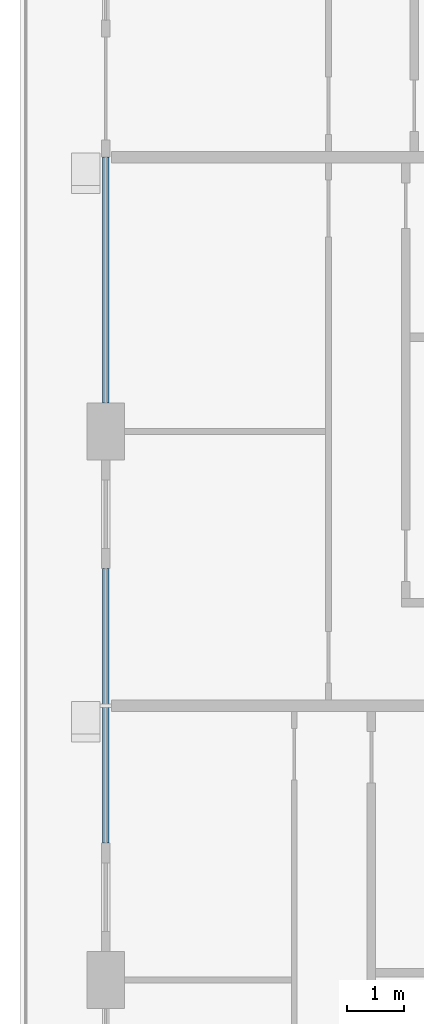
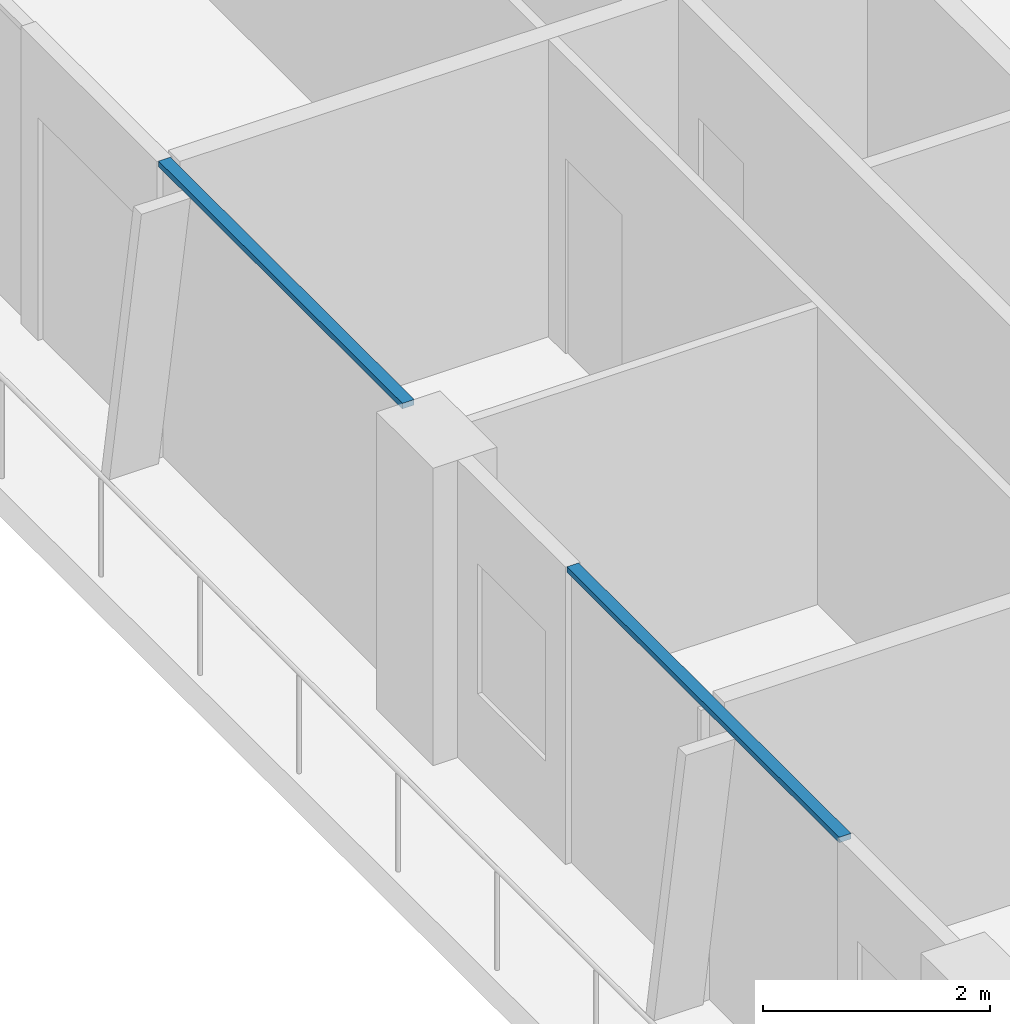
# One storey, part 3 of 23: 2 members, 2 elements without a shape of their own.
"""IFC4 building model written with IfcOpenShell, lengths in metres."""

from ifc_helpers import new_model, si_unit, direction, frame, origin, origin_2d, place, context, subcontext, project, spatial, rectangle, extrude, material, layer, layer_set, material_profile, profile_set, type_object, element, aggregate, save


model = new_model("IFC4")

# Units and contexts
model_context = context("Model", 3, precision=1e-05, world=origin(), true_north=direction((0.0, 1.0)))
body_context = subcontext(model_context, "Body", "Model", "MODEL_VIEW")
ifc_project = project(units=[si_unit("LENGTHUNIT", "METRE"), si_unit("AREAUNIT", "SQUARE_METRE"), si_unit("VOLUMEUNIT", "CUBIC_METRE"), si_unit("PLANEANGLEUNIT", "RADIAN"), si_unit("MASSUNIT", "GRAM", prefix="KILO")], contexts=[model_context])

# Site, building, storey
site_placement = place(None, origin())
site = spatial("IfcSite", under=ifc_project, at=site_placement, CompositionType="ELEMENT")
building_placement = place(site_placement, origin())
building = spatial("IfcBuilding", under=site, at=building_placement, Name="Madar Terraces", CompositionType="ELEMENT")
storey_placement = place(building_placement, frame((0.0, 0.0, 212.300048828125)))
storey = spatial("IfcBuildingStorey", under=building, at=storey_placement, Name="L55", CompositionType="ELEMENT", Elevation=212.300048828125)

# Curtain wall, member
ifc_material_1 = material(Name="Glass, ceramic frit dark grey, with black aluminium frame", Category="aluminium")
ifc_layer = layer(ifc_material_1, 0.199951171875)
ifc_layer_set = layer_set([ifc_layer], Name="Facade curtain wall, fritted glass")
curtain_wall_type = type_object("IfcCurtainWallType", Name="Facade curtain wall, fritted glass", PredefinedType="NOTDEFINED", material=ifc_layer_set)
curtain_wall_1_placement = place(storey_placement, origin())
curtain_wall_1 = element("IfcCurtainWall", 1, at=curtain_wall_1_placement, inside=storey, type_object=curtain_wall_type, Name="Outer skin curtain wall west bay 2", PredefinedType="NOTDEFINED")
ifc_material_2 = material(Name="Aluminium, black anodised", Category="aluminium")
ifc_material_profile = material_profile(ifc_material_2, rectangle(XDim=0.1201171875, YDim=0.06005859375, at=origin_2d()), Name="Facade transom 60x120")
ifc_profile_set = profile_set([ifc_material_profile], Name="Aluminium, black anodised")
member_type = type_object("IfcMemberType", Name="Facade transom 60x120", PredefinedType="USERDEFINED", material=ifc_profile_set)
member_1_placement = place(storey_placement, frame((4.800048828125, 33.60009765625, 3.169921875), z_axis=(0.0, -1.0, 0.0), x_axis=(1.0, 0.0, 0.0)))
member_1 = element("IfcMember", 2, at=member_1_placement, type_object=member_type, Name="Transom 2", ObjectType="TRANSOM", PredefinedType="USERDEFINED", context=body_context, shape_type="SweptSolid", body=[
    extrude(rectangle(XDim=0.1201171875, YDim=0.06005859375, at=origin_2d()), origin(), (0.0, 0.0, 1.0), 4.300048828125),
])
aggregate(curtain_wall_1, [member_1])

curtain_wall_2_placement = place(storey_placement, origin())
curtain_wall_2 = element("IfcCurtainWall", 3, at=curtain_wall_2_placement, inside=storey, type_object=curtain_wall_type, Name="Outer skin curtain wall west bay 3", PredefinedType="NOTDEFINED")
member_2_placement = place(storey_placement, frame((4.800048828125, 26.39990234375, 3.169921875), z_axis=(0.0, -1.0, 0.0), x_axis=(1.0, 0.0, 0.0)))
member_2 = element("IfcMember", 4, at=member_2_placement, type_object=member_type, Name="Transom 1", ObjectType="TRANSOM", PredefinedType="USERDEFINED", context=body_context, shape_type="SweptSolid", body=[
    extrude(rectangle(XDim=0.1201171875, YDim=0.06005859375, at=origin_2d()), origin(), (0.0, 0.0, 1.0), 4.7998046875),
])
aggregate(curtain_wall_2, [member_2])

save(model, "model.ifc")
